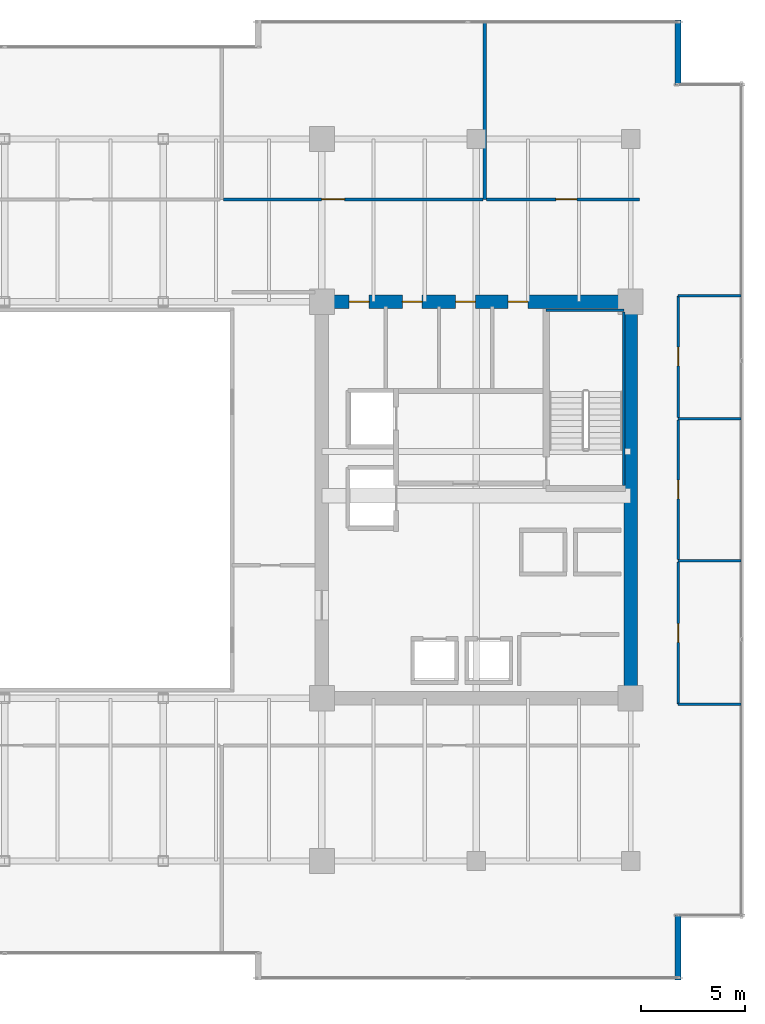
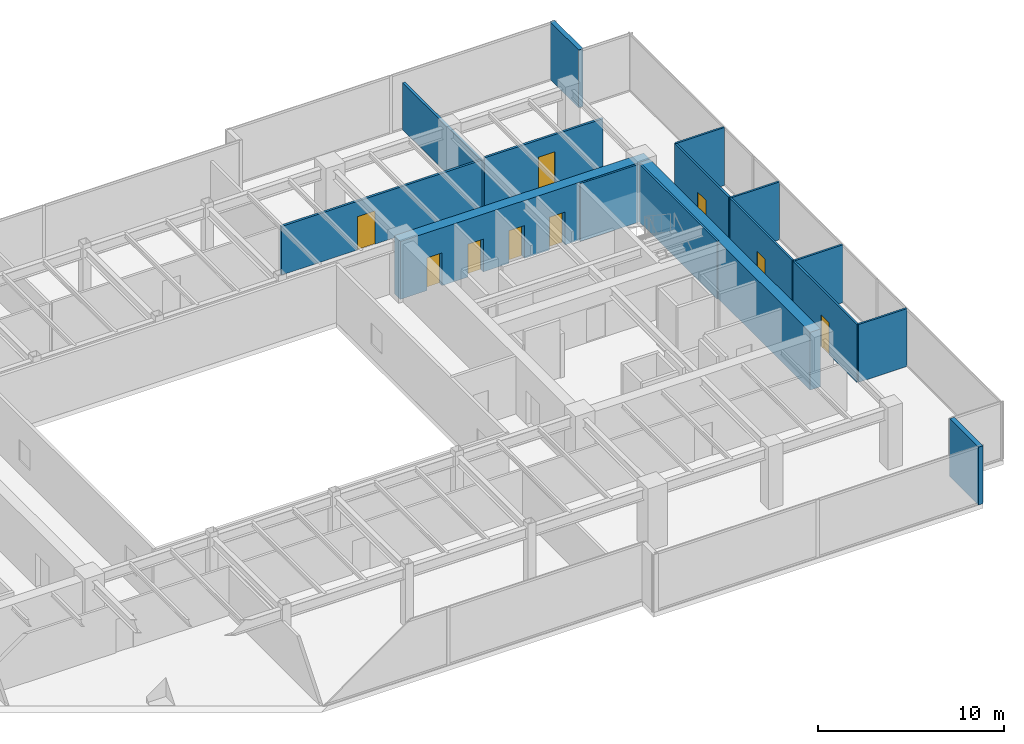
# One storey, part 28 of 31: 16 walls, 9 doors, 9 openings.
"""IFC4 building model written with IfcOpenShell, lengths in metres."""

from ifc_helpers import new_model, si_unit, direction, frame, frame_2d, origin, place, context, subcontext, project, spatial, rectangle, extrude, source, transform, mapped, material, layer, layer_set, type_object, type_shapes, element, fill, save


model = new_model("IFC4")

# Units and contexts
model_context = context("Model", 3, precision=1e-05, world=origin(), true_north=direction((0.0, 1.0)))
body_context = subcontext(model_context, "Body", "Model", "MODEL_VIEW")
ifc_project = project(units=[si_unit("LENGTHUNIT", "METRE"), si_unit("AREAUNIT", "SQUARE_METRE"), si_unit("VOLUMEUNIT", "CUBIC_METRE"), si_unit("PLANEANGLEUNIT", "RADIAN"), si_unit("MASSUNIT", "GRAM", prefix="KILO")], contexts=[model_context])

# Site, building, storey
site_placement = place(None, origin())
site = spatial("IfcSite", under=ifc_project, at=site_placement, CompositionType="ELEMENT")
building_placement = place(site_placement, origin())
building = spatial("IfcBuilding", under=site, at=building_placement, Name="Haelvirn Gate Laboratories", CompositionType="ELEMENT")
storey_placement = place(building_placement, frame((0.0, 0.0, 154.300048828125)))
storey = spatial("IfcBuildingStorey", under=building, at=storey_placement, Name="L37", CompositionType="ELEMENT", Elevation=154.300048828125)

# Walls
ifc_material_1 = material(Name="Thermally-broken bronze aluminium rainscreen & mineral wool", Category="aluminium")
ifc_layer_1 = layer(ifc_material_1, 0.280029296875, Name="EW-TERR-280")
ifc_layer_set_1 = layer_set([ifc_layer_1], Name="Thermally-broken bronze aluminium rainscreen & mineral wool")
wall_type_1 = type_object("IfcWallType", Name="EW-TERR-280", PredefinedType="STANDARD", material=ifc_layer_set_1)
wall_1_placement = place(storey_placement, frame((69.659912109375, 1.300048828125, 0.0), z_axis=(0.0, 0.0, 1.0), x_axis=(0.0, 1.0, 0.0)))
element("IfcWall", 1, at=wall_1_placement, inside=storey, type_object=wall_type_1, Name="L37 Atrium Recess Bronze Return Wall 05", PredefinedType="STANDARD", context=body_context, shape_type="SweptSolid", body=[
    extrude(rectangle(XDim=3.087890625, YDim=0.280029296875, at=frame_2d((1.5439453125, 0.0))), origin(), (0.0, 0.0, 1.0), 3.7900390625),
])
wall_2_placement = place(storey_placement, frame((69.659912109375, 44.2119140625, 0.0), z_axis=(0.0, 0.0, 1.0), x_axis=(0.0, 1.0, 0.0)))
element("IfcWall", 2, at=wall_2_placement, inside=storey, type_object=wall_type_1, Name="L37 Atrium Recess Bronze Return Wall 09", PredefinedType="STANDARD", context=body_context, shape_type="SweptSolid", body=[
    extrude(rectangle(XDim=3.088134765625, YDim=0.280029296875, at=frame_2d((1.5439453125, 0.0))), origin(), (0.0, 0.0, 1.0), 3.7900390625),
])
ifc_material_2 = material(Name="Double-layer acoustic gypsum laboratory partition", Category="gypsum")
ifc_layer_2 = layer(ifc_material_2, 0.159912109375, Name="IW-ACOUST-160")
ifc_layer_set_2 = layer_set([ifc_layer_2], Name="Double-layer acoustic gypsum laboratory partition")
wall_type_2 = type_object("IfcWallType", Name="IW-ACOUST-160", PredefinedType="PARTITIONING", material=ifc_layer_set_2)
wall_3_placement = place(storey_placement, frame((60.39990234375, 38.705078125, 0.0), z_axis=(0.0, 0.0, 1.0), x_axis=(0.0, 1.0, 0.0)))
element("IfcWall", 3, at=wall_3_placement, inside=storey, type_object=wall_type_2, Name="L37 Interior Wall IW-L37-NDIV-04", PredefinedType="PARTITIONING", context=body_context, shape_type="SweptSolid", body=[
    extrude(rectangle(XDim=8.48486328125, YDim=0.159912109375, at=frame_2d((4.242431640625, 0.0))), origin(), (0.0, 0.0, 1.0), 3.074951171875),
])
ifc_material_3 = material(Name="Lightweight acoustic gypsum board partition", Category="gypsum")
ifc_layer_3 = layer(ifc_material_3, 0.1201171875, Name="IW-PART-120")
ifc_layer_set_3 = layer_set([ifc_layer_3], Name="Lightweight acoustic gypsum board partition")
wall_type_3 = type_object("IfcWallType", Name="IW-PART-120", PredefinedType="PARTITIONING", material=ifc_layer_set_3)
for number, where, z_axis, x_axis, name in (
    (4, (69.669921875, 14.514892578125, 0.0), (0.0, 0.0, 1.0), (1.0, 0.0, 0.0), "L37 Interior Wall IW-L37-ECAP-S"),
    (5, (69.669921875, 34.0849609375, 0.0), (0.0, 0.0, 1.0), (1.0, 0.0, 0.0), "L37 Interior Wall IW-L37-ECAP-N"),
):
    element("IfcWall", number, at=place(storey_placement, frame(where, z_axis=z_axis, x_axis=x_axis)), inside=storey, type_object=wall_type_3, Name=name, PredefinedType="PARTITIONING", context=body_context, shape_type="SweptSolid", body=[
        extrude(rectangle(XDim=3.02001953125, YDim=0.1201171875, at=frame_2d((1.510009765625, 0.0))), origin(), (0.0, 0.0, 1.0), 3.7900390625),
    ])

# Wall, opening, door
wall_4_placement = place(storey_placement, frame((69.669921875, 14.514892578125, 0.0), z_axis=(0.0, 0.0, 1.0), x_axis=(0.0, 1.0, 0.0)))
wall_4 = element("IfcWall", 6, at=wall_4_placement, inside=storey, type_object=wall_type_3, Name="L37 Interior Wall IW-L37-EPASS-01", PredefinedType="PARTITIONING", context=body_context, shape_type="SweptSolid", body=[
    extrude(rectangle(XDim=6.8251953125, YDim=0.1201171875, at=frame_2d((3.41259765625, 0.0))), origin(), (0.0, 0.0, 1.0), 3.7900390625),
])
opening_1_placement = place(wall_4_placement, frame((2.96240234375, 0.0, 0.0)))
opening_1 = element("IfcOpeningElement", 7, at=opening_1_placement, cuts=wall_4, Name="Opening D4", PredefinedType="OPENING", context=body_context, shape_type="SweptSolid", body=[
    extrude(rectangle(XDim=0.89990234375, YDim=2.10009765625, at=frame_2d((0.449951171875, 1.050048828125))), frame((0.0, 0.070068359375, 0.0), z_axis=(0.0, -1.0, 0.0), x_axis=(1.0, 0.0, 0.0)), (0.0, 0.0, 1.0), 0.14013671875),
])
ifc_material_4 = material(Name="Glazed aluminium-framed write-up door", Category="aluminium")
door_type_1 = type_object("IfcDoorType", Name="DR-OFF-900", OperationType="NOTDEFINED", PredefinedType="DOOR", material=ifc_material_4)
shared_shape_1 = source(origin(), body_context, "Body", "SweptSolid", [
    extrude(rectangle(XDim=0.89990234375, YDim=2.10009765625, at=frame_2d((0.449951171875, 1.050048828125))), frame((0.0, 0.02490234375, 0.0), z_axis=(0.0, -1.0, 0.0), x_axis=(1.0, 0.0, 0.0)), (0.0, 0.0, 1.0), 0.050048828125),
])
type_shapes(door_type_1, [shared_shape_1])
door_1_placement = place(opening_1_placement, origin())
door_1 = element("IfcDoor", 8, at=door_1_placement, inside=storey, type_object=door_type_1, Name="L37 Proteomics Mass-Spec Laboratory Door E1", OperationType="SINGLE_SWING_LEFT", OverallHeight=2.10009765625, OverallWidth=0.89990234375, PredefinedType="DOOR", context=body_context, shape_type="MappedRepresentation", body=[
    mapped(shared_shape_1, transform((0.0, 0.0, 0.0), scale=1.0)),
])
fill(opening_1, door_1)

# Wall
wall_5_placement = place(storey_placement, frame((69.669921875, 21.39990234375, 0.0), z_axis=(0.0, 0.0, 1.0), x_axis=(1.0, 0.0, 0.0)))
element("IfcWall", 9, at=wall_5_placement, inside=storey, type_object=wall_type_3, Name="L37 Interior Wall IW-L37-EDIV-01", PredefinedType="PARTITIONING", context=body_context, shape_type="SweptSolid", body=[
    extrude(rectangle(XDim=3.02001953125, YDim=0.1201171875, at=frame_2d((1.510009765625, 0.0))), origin(), (0.0, 0.0, 1.0), 3.7900390625),
])

# Wall, opening, door
wall_6_placement = place(storey_placement, frame((69.669921875, 21.4599609375, 0.0), z_axis=(0.0, 0.0, 1.0), x_axis=(0.0, 1.0, 0.0)))
wall_6 = element("IfcWall", 10, at=wall_6_placement, inside=storey, type_object=wall_type_3, Name="L37 Interior Wall IW-L37-EPASS-02", PredefinedType="PARTITIONING", context=body_context, shape_type="SweptSolid", body=[
    extrude(rectangle(XDim=6.679931640625, YDim=0.1201171875, at=frame_2d((3.33984375, 0.0))), origin(), (0.0, 0.0, 1.0), 3.7900390625),
])
opening_2_placement = place(wall_6_placement, frame((2.889892578125, 0.0, 0.0)))
opening_2 = element("IfcOpeningElement", 11, at=opening_2_placement, cuts=wall_6, Name="Opening D4", PredefinedType="OPENING", context=body_context, shape_type="SweptSolid", body=[
    extrude(rectangle(XDim=0.89990234375, YDim=2.10009765625, at=frame_2d((0.449951171875, 1.050048828125))), frame((0.0, 0.070068359375, 0.0), z_axis=(0.0, -1.0, 0.0), x_axis=(1.0, 0.0, 0.0)), (0.0, 0.0, 1.0), 0.14013671875),
])
door_2_placement = place(opening_2_placement, origin())
door_2 = element("IfcDoor", 12, at=door_2_placement, inside=storey, type_object=door_type_1, Name="L37 Chemical Synthesis Laboratory Door E2", OperationType="SINGLE_SWING_RIGHT", OverallHeight=2.10009765625, OverallWidth=0.89990234375, PredefinedType="DOOR", context=body_context, shape_type="MappedRepresentation", body=[
    mapped(shared_shape_1, transform((0.0, 0.0, 0.0), scale=1.0)),
])
fill(opening_2, door_2)

# Wall
wall_7_placement = place(storey_placement, frame((69.669921875, 28.199951171875, 0.0), z_axis=(0.0, 0.0, 1.0), x_axis=(1.0, 0.0, 0.0)))
element("IfcWall", 13, at=wall_7_placement, inside=storey, type_object=wall_type_3, Name="L37 Interior Wall IW-L37-EDIV-02", PredefinedType="PARTITIONING", context=body_context, shape_type="SweptSolid", body=[
    extrude(rectangle(XDim=3.02001953125, YDim=0.1201171875, at=frame_2d((1.510009765625, 0.0))), origin(), (0.0, 0.0, 1.0), 3.7900390625),
])

# Wall, opening, door
wall_8_placement = place(storey_placement, frame((69.669921875, 28.260009765625, 0.0), z_axis=(0.0, 0.0, 1.0), x_axis=(0.0, 1.0, 0.0)))
wall_8 = element("IfcWall", 14, at=wall_8_placement, inside=storey, type_object=wall_type_3, Name="L37 Interior Wall IW-L37-EPASS-03", PredefinedType="PARTITIONING", context=body_context, shape_type="SweptSolid", body=[
    extrude(rectangle(XDim=5.824951171875, YDim=0.1201171875, at=frame_2d((2.91259765625, 0.0))), origin(), (0.0, 0.0, 1.0), 3.7900390625),
])
opening_3_placement = place(wall_8_placement, frame((2.46240234375, 0.0, 0.0)))
opening_3 = element("IfcOpeningElement", 15, at=opening_3_placement, cuts=wall_8, Name="Opening D4", PredefinedType="OPENING", context=body_context, shape_type="SweptSolid", body=[
    extrude(rectangle(XDim=0.89990234375, YDim=2.10009765625, at=frame_2d((0.449951171875, 1.050048828125))), frame((0.0, 0.070068359375, 0.0), z_axis=(0.0, -1.0, 0.0), x_axis=(1.0, 0.0, 0.0)), (0.0, 0.0, 1.0), 0.14013671875),
])
door_3_placement = place(opening_3_placement, origin())
door_3 = element("IfcDoor", 16, at=door_3_placement, inside=storey, type_object=door_type_1, Name="L37 Bioprocess Foundry Laboratory Door E3", OperationType="SINGLE_SWING_LEFT", OverallHeight=2.10009765625, OverallWidth=0.89990234375, PredefinedType="DOOR", context=body_context, shape_type="MappedRepresentation", body=[
    mapped(shared_shape_1, transform((0.0, 0.0, 0.0), scale=1.0)),
])
fill(opening_3, door_3)

ifc_material_5 = material(Name="Acoustic mineral-wool gypsum board partition", Category="gypsum")
ifc_layer_4 = layer(ifc_material_5, 0.139892578125, Name="IW-PART-140")
ifc_layer_set_4 = layer_set([ifc_layer_4], Name="Acoustic mineral-wool gypsum board partition")
wall_type_4 = type_object("IfcWallType", Name="IW-PART-140", PredefinedType="PARTITIONING", material=ifc_layer_set_4)
wall_9_placement = place(storey_placement, frame((47.8798828125, 38.705078125, 0.0), z_axis=(0.0, 0.0, 1.0), x_axis=(1.0, 0.0, 0.0)))
wall_9 = element("IfcWall", 17, at=wall_9_placement, inside=storey, type_object=wall_type_4, Name="L37 Interior Wall IW-L37-NCORR-04", PredefinedType="PARTITIONING", context=body_context, shape_type="SweptSolid", body=[
    extrude(rectangle(XDim=12.440185546875, YDim=0.139892578125, at=frame_2d((6.22021484375, 0.0))), origin(), (0.0, 0.0, 1.0), 3.18701171875),
])
opening_4_placement = place(wall_9_placement, frame((4.71240234375, 0.0, 0.0)))
opening_4 = element("IfcOpeningElement", 18, at=opening_4_placement, cuts=wall_9, Name="Opening D1", PredefinedType="OPENING", context=body_context, shape_type="SweptSolid", body=[
    extrude(rectangle(XDim=1.10009765625, YDim=2.179931640625, at=frame_2d((0.550048828125, 1.08984375))), frame((0.0, 0.080078125, 0.0), z_axis=(0.0, -1.0, 0.0), x_axis=(1.0, 0.0, 0.0)), (0.0, 0.0, 1.0), 0.159912109375),
])
ifc_material_6 = material(Name="Vision-panel acoustic solid-core timber lab door", Category="wood")
door_type_2 = type_object("IfcDoorType", Name="DR-LAB-1100", OperationType="NOTDEFINED", PredefinedType="DOOR", material=ifc_material_6)
shared_shape_2 = source(origin(), body_context, "Body", "SweptSolid", [
    extrude(rectangle(XDim=1.10009765625, YDim=2.179931640625, at=frame_2d((0.550048828125, 1.08984375))), frame((0.0, 0.02490234375, 0.0), z_axis=(0.0, -1.0, 0.0), x_axis=(1.0, 0.0, 0.0)), (0.0, 0.0, 1.0), 0.050048828125),
])
type_shapes(door_type_2, [shared_shape_2])
door_4_placement = place(opening_4_placement, origin())
door_4 = element("IfcDoor", 19, at=door_4_placement, inside=storey, type_object=door_type_2, Name="L37 Occupational Biosafety Clinic Door N4", OperationType="SINGLE_SWING_RIGHT", OverallHeight=2.179931640625, OverallWidth=1.10009765625, PredefinedType="DOOR", context=body_context, shape_type="MappedRepresentation", body=[
    mapped(shared_shape_2, transform((0.0, 0.0, 0.0), scale=1.0)),
])
fill(opening_4, door_4)

wall_10_placement = place(storey_placement, frame((60.47998046875, 38.705078125, 0.0), z_axis=(0.0, 0.0, 1.0), x_axis=(1.0, 0.0, 0.0)))
wall_10 = element("IfcWall", 20, at=wall_10_placement, inside=storey, type_object=wall_type_4, Name="L37 Interior Wall IW-L37-NCORR-05", PredefinedType="PARTITIONING", context=body_context, shape_type="SweptSolid", body=[
    extrude(rectangle(XDim=7.340087890625, YDim=0.139892578125, at=frame_2d((3.669921875, 0.0))), origin(), (0.0, 0.0, 1.0), 3.27490234375),
])
opening_5_placement = place(wall_10_placement, frame((3.339111328125, 0.0, 0.0)))
opening_5 = element("IfcOpeningElement", 21, at=opening_5_placement, cuts=wall_10, Name="Opening D2", PredefinedType="OPENING", context=body_context, shape_type="SweptSolid", body=[
    extrude(rectangle(XDim=1.0, YDim=2.14990234375, at=frame_2d((0.5, 1.074951171875))), frame((0.0, 0.080078125, 0.0), z_axis=(0.0, -1.0, 0.0), x_axis=(1.0, 0.0, 0.0)), (0.0, 0.0, 1.0), 0.159912109375),
])
ifc_material_7 = material(Name="Acoustic solid-core timber suite door", Category="wood")
door_type_3 = type_object("IfcDoorType", Name="DR-INT-1000", OperationType="NOTDEFINED", PredefinedType="DOOR", material=ifc_material_7)
shared_shape_3 = source(origin(), body_context, "Body", "SweptSolid", [
    extrude(rectangle(XDim=1.0, YDim=2.14990234375, at=frame_2d((0.5, 1.074951171875))), frame((0.0, 0.02490234375, 0.0), z_axis=(0.0, -1.0, 0.0), x_axis=(1.0, 0.0, 0.0)), (0.0, 0.0, 1.0), 0.050048828125),
])
type_shapes(door_type_3, [shared_shape_3])
door_5_placement = place(opening_5_placement, origin())
door_5 = element("IfcDoor", 22, at=door_5_placement, inside=storey, type_object=door_type_3, Name="L37 Computational Write-Up Office Door N5", OperationType="SINGLE_SWING_LEFT", OverallHeight=2.14990234375, OverallWidth=1.0, PredefinedType="DOOR", context=body_context, shape_type="MappedRepresentation", body=[
    mapped(shared_shape_3, transform((0.0, 0.0, 0.0), scale=1.0)),
])
fill(opening_5, door_5)

# Wall, openings, doors
ifc_material_8 = material(Name="Concrete C60/75", Category="concrete")
ifc_layer_5 = layer(ifc_material_8, 0.64990234375, Name="SW-CORE-650")
ifc_layer_set_5 = layer_set([ifc_layer_5], Name="Concrete C60/75")
wall_type_5 = type_object("IfcWallType", Name="SW-CORE-650", PredefinedType="SHEAR", material=ifc_layer_set_5)
wall_11_placement = place(storey_placement, frame((52.27490234375, 33.800048828125, 0.0), z_axis=(0.0, 0.0, 1.0), x_axis=(1.0, 0.0, 0.0)))
wall_11 = element("IfcWall", 23, at=wall_11_placement, inside=storey, type_object=wall_type_5, Name="L37 E Core Shear Wall N", PredefinedType="SHEAR", context=body_context, shape_type="SweptSolid", body=[
    extrude(rectangle(XDim=15.4501953125, YDim=0.64990234375, at=frame_2d((7.72509765625, 0.0))), origin(), (0.0, 0.0, 1.0), 3.7900390625),
])
opening_6_placement = place(wall_11_placement, frame((9.25, 0.0, 0.0)))
opening_6 = element("IfcOpeningElement", 24, at=opening_6_placement, cuts=wall_11, Name="Opening FD4", PredefinedType="OPENING", context=body_context, shape_type="SweptSolid", body=[
    extrude(rectangle(XDim=0.949951171875, YDim=2.14990234375, at=frame_2d((0.47509765625, 1.074951171875))), frame((0.0, 0.3349609375, 0.0), z_axis=(0.0, -1.0, 0.0), x_axis=(1.0, 0.0, 0.0)), (0.0, 0.0, 1.0), 0.669921875),
])
opening_7_placement = place(wall_11_placement, frame((6.735107421875, 0.0, 0.0)))
opening_7 = element("IfcOpeningElement", 25, at=opening_7_placement, cuts=wall_11, Name="Opening FD4", PredefinedType="OPENING", context=body_context, shape_type="SweptSolid", body=[
    extrude(rectangle(XDim=0.949951171875, YDim=2.14990234375, at=frame_2d((0.47509765625, 1.074951171875))), frame((0.0, 0.3349609375, 0.0), z_axis=(0.0, -1.0, 0.0), x_axis=(1.0, 0.0, 0.0)), (0.0, 0.0, 1.0), 0.669921875),
])
opening_8_placement = place(wall_11_placement, frame((4.18505859375, 0.0, 0.0)))
opening_8 = element("IfcOpeningElement", 26, at=opening_8_placement, cuts=wall_11, Name="Opening FD4", PredefinedType="OPENING", context=body_context, shape_type="SweptSolid", body=[
    extrude(rectangle(XDim=0.949951171875, YDim=2.14990234375, at=frame_2d((0.47509765625, 1.074951171875))), frame((0.0, 0.3349609375, 0.0), z_axis=(0.0, -1.0, 0.0), x_axis=(1.0, 0.0, 0.0)), (0.0, 0.0, 1.0), 0.669921875),
])
opening_9_placement = place(wall_11_placement, frame((1.635009765625, 0.0, 0.0)))
opening_9 = element("IfcOpeningElement", 27, at=opening_9_placement, cuts=wall_11, Name="Opening FD4", PredefinedType="OPENING", context=body_context, shape_type="SweptSolid", body=[
    extrude(rectangle(XDim=0.949951171875, YDim=2.14990234375, at=frame_2d((0.47509765625, 1.074951171875))), frame((0.0, 0.3349609375, 0.0), z_axis=(0.0, -1.0, 0.0), x_axis=(1.0, 0.0, 0.0)), (0.0, 0.0, 1.0), 0.669921875),
])
ifc_material_9 = material(Name="Fire-rated steel SM355 core service door", Category="steel")
door_type_4 = type_object("IfcDoorType", Name="DR-FD-950", OperationType="NOTDEFINED", PredefinedType="DOOR", material=ifc_material_9)
shared_shape_4 = source(origin(), body_context, "Body", "SweptSolid", [
    extrude(rectangle(XDim=0.949951171875, YDim=2.14990234375, at=frame_2d((0.47509765625, 1.074951171875))), frame((0.0, 0.02490234375, 0.0), z_axis=(0.0, -1.0, 0.0), x_axis=(1.0, 0.0, 0.0)), (0.0, 0.0, 1.0), 0.050048828125),
])
type_shapes(door_type_4, [shared_shape_4])
door_6_placement = place(opening_6_placement, origin())
door_6 = element("IfcDoor", 28, at=door_6_placement, inside=storey, type_object=door_type_4, Name="L37 Male Restroom Fire Door", OperationType="SINGLE_SWING_RIGHT", OverallHeight=2.14990234375, OverallWidth=0.949951171875, PredefinedType="DOOR", context=body_context, shape_type="MappedRepresentation", body=[
    mapped(shared_shape_4, transform((0.0, 0.0, 0.0), scale=1.0)),
])
fill(opening_6, door_6)
door_7_placement = place(opening_7_placement, origin())
door_7 = element("IfcDoor", 29, at=door_7_placement, inside=storey, type_object=door_type_4, Name="L37 Female Restroom Fire Door", OperationType="SINGLE_SWING_LEFT", OverallHeight=2.14990234375, OverallWidth=0.949951171875, PredefinedType="DOOR", context=body_context, shape_type="MappedRepresentation", body=[
    mapped(shared_shape_4, transform((0.0, 0.0, 0.0), scale=1.0)),
])
fill(opening_7, door_7)
door_8_placement = place(opening_8_placement, origin())
door_8 = element("IfcDoor", 30, at=door_8_placement, inside=storey, type_object=door_type_4, Name="L37 Accessible Restroom Fire Door", OperationType="SINGLE_SWING_RIGHT", OverallHeight=2.14990234375, OverallWidth=0.949951171875, PredefinedType="DOOR", context=body_context, shape_type="MappedRepresentation", body=[
    mapped(shared_shape_4, transform((0.0, 0.0, 0.0), scale=1.0)),
])
fill(opening_8, door_8)
door_9_placement = place(opening_9_placement, origin())
door_9 = element("IfcDoor", 31, at=door_9_placement, inside=storey, type_object=door_type_4, Name="L37 Decontamination Shower Washroom Fire Door", OperationType="SINGLE_SWING_LEFT", OverallHeight=2.14990234375, OverallWidth=0.949951171875, PredefinedType="DOOR", context=body_context, shape_type="MappedRepresentation", body=[
    mapped(shared_shape_4, transform((0.0, 0.0, 0.0), scale=1.0)),
])
fill(opening_9, door_9)

# Walls
wall_12_placement = place(storey_placement, frame((67.39990234375, 15.125, 0.0), z_axis=(0.0, 0.0, 1.0), x_axis=(0.0, 1.0, 0.0)))
element("IfcWall", 32, at=wall_12_placement, inside=storey, type_object=wall_type_5, Name="L37 E Core Shear Wall E", PredefinedType="SHEAR", context=body_context, shape_type="SweptSolid", body=[
    extrude(rectangle(XDim=18.35009765625, YDim=0.64990234375, at=frame_2d((9.175048828125, 0.0))), origin(), (0.0, 0.0, 1.0), 3.7900390625),
])
ifc_material_10 = material(Name="Concrete C50/60", Category="concrete")
ifc_layer_6 = layer(ifc_material_10, 0.1201171875, Name="SW-LINER-120")
ifc_layer_set_6 = layer_set([ifc_layer_6], Name="Concrete C50/60")
wall_type_6 = type_object("IfcWallType", Name="SW-LINER-120", PredefinedType="SOLIDWALL", material=ifc_layer_set_6)
wall_13_placement = place(storey_placement, frame((63.35009765625, 33.39990234375, 0.0), z_axis=(0.0, 0.0, 1.0), x_axis=(1.0, 0.0, 0.0)))
element("IfcWall", 33, at=wall_13_placement, inside=storey, type_object=wall_type_6, Name="L37 E Core Stair Shaft Liner Wall N", PredefinedType="SOLIDWALL", context=body_context, shape_type="SweptSolid", body=[
    extrude(rectangle(XDim=3.719970703125, YDim=0.1201171875, at=frame_2d((1.85986328125, 0.0))), origin(), (0.0, 0.0, 1.0), 3.7900390625),
])
wall_14_placement = place(storey_placement, frame((67.070068359375, 25.0, 0.0), z_axis=(0.0, 0.0, 1.0), x_axis=(0.0, 1.0, 0.0)))
element("IfcWall", 34, at=wall_14_placement, inside=storey, type_object=wall_type_6, Name="L37 E Core Stair Shaft Liner Wall OUT", PredefinedType="SOLIDWALL", context=body_context, shape_type="SweptSolid", body=[
    extrude(rectangle(XDim=8.320068359375, YDim=0.1201171875, at=frame_2d((4.16015625, 0.0))), origin(), (0.0, 0.0, 1.0), 3.7900390625),
])

save(model, "model.ifc")
